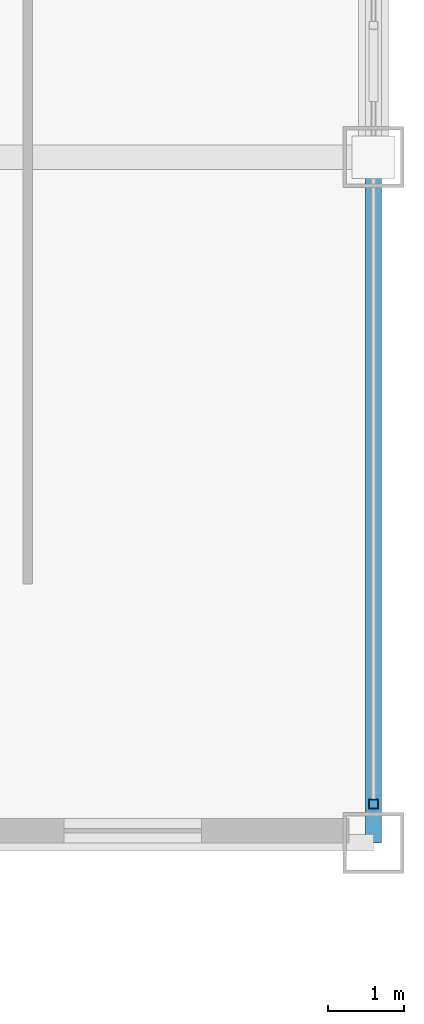
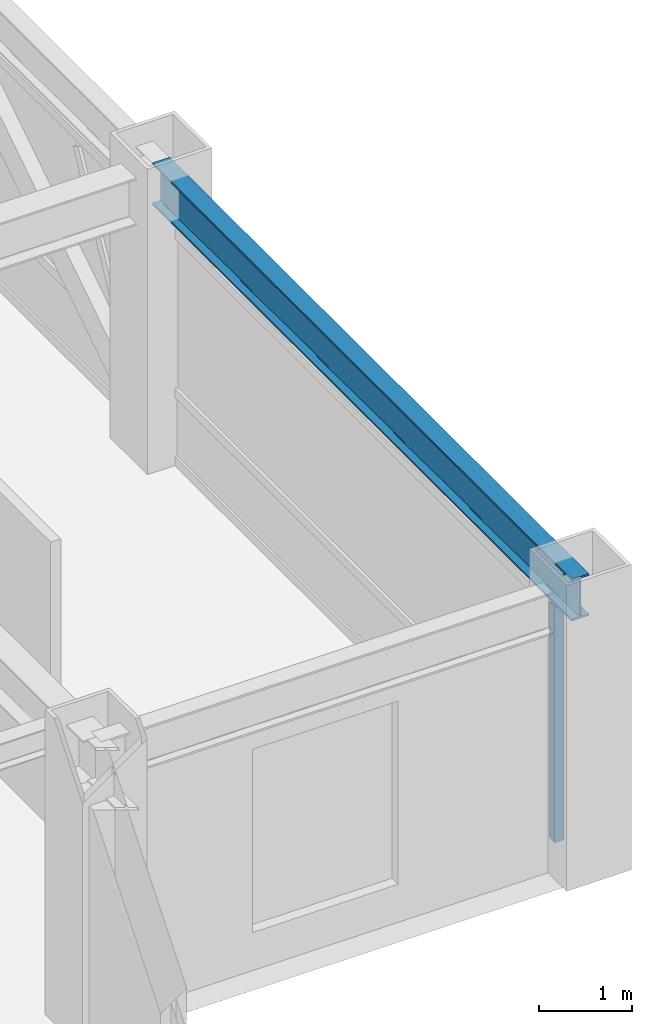
# One storey, part 10 of 28: 1 beam, 1 member, 1 element without a shape of its own.
"""IFC4 building model written with IfcOpenShell, lengths in metres."""

from ifc_helpers import new_model, si_unit, direction, frame, origin, origin_2d, place, context, subcontext, project, spatial, hollow_rectangle, i_section, extrude, source, transform, mapped, material, material_profile, profile_set, type_object, element, aggregate, save


model = new_model("IFC4")

# Units and contexts
model_context = context("Model", 3, precision=1e-05, world=origin(), true_north=direction((0.0, 1.0)))
body_context = subcontext(model_context, "Body", "Model", "MODEL_VIEW")
ifc_project = project(units=[si_unit("LENGTHUNIT", "METRE"), si_unit("AREAUNIT", "SQUARE_METRE"), si_unit("VOLUMEUNIT", "CUBIC_METRE"), si_unit("PLANEANGLEUNIT", "RADIAN"), si_unit("MASSUNIT", "GRAM", prefix="KILO")], contexts=[model_context])

# Site, building, storey
site_placement = place(None, origin())
site = spatial("IfcSite", under=ifc_project, at=site_placement, CompositionType="ELEMENT")
building_placement = place(site_placement, origin())
building = spatial("IfcBuilding", under=site, at=building_placement, Name="Khorayat Bourse Tower", CompositionType="ELEMENT")
storey_placement = place(building_placement, frame((0.0, 0.0, 330.300048828125)))
storey = spatial("IfcBuildingStorey", under=building, at=storey_placement, Name="L78", CompositionType="ELEMENT", Elevation=330.300048828125)

# Beam
ifc_material_1 = material(Name="Steel ASTM A992 Grade 50", Category="steel")
ifc_material_profile_1 = material_profile(ifc_material_1, i_section(OverallWidth=0.214111328125, OverallDepth=0.549072265625, WebThickness=0.0146484375, FlangeThickness=0.023681640625, FilletRadius=0.013916015625, at=origin_2d()), Name="W530X138")
ifc_profile_set_1 = profile_set([ifc_material_profile_1], Name="Steel ASTM A992 Grade 50")
beam_type = type_object("IfcBeamType", Name="BM-SPAN-530", PredefinedType="SPANDREL", material=ifc_profile_set_1)
shared_shape_1 = source(origin(), body_context, "Body", "SweptSolid", [
    extrude(i_section(OverallWidth=0.214111328125, OverallDepth=0.549072265625, WebThickness=0.0146484375, FlangeThickness=0.023681640625, FilletRadius=0.013916015625, at=origin_2d()), origin(), (0.0, 0.0, 1.0), 9.0),
])
beam_placement = place(storey_placement, frame((26.0, -20.0, 3.46533203125), z_axis=(0.0, 1.0, 0.0), x_axis=(-1.0, 0.0, 0.0)))
element("IfcBeam", 1, at=beam_placement, inside=storey, type_object=beam_type, Name="L78 BM-SPAN-530 BM-L78-SPN-032", PredefinedType="SPANDREL", context=body_context, shape_type="MappedRepresentation", body=[
    mapped(shared_shape_1, transform((0.0, 0.0, 0.0), scale=1.0)),
])

# Curtain wall, member
ifc_material_2 = material(Name="Aluminium EN AW-6063 T6", Category="aluminium")
curtain_wall_type = type_object("IfcCurtainWallType", Name="CW-SYS-04", PredefinedType="NOTDEFINED", material=ifc_material_2)
curtain_wall_placement = place(storey_placement, origin())
curtain_wall = element("IfcCurtainWall", 2, at=curtain_wall_placement, inside=storey, type_object=curtain_wall_type, Name="L78 Curtain Wall CW-L78-E1", PredefinedType="NOTDEFINED")
ifc_material_profile_2 = material_profile(ifc_material_2, hollow_rectangle(XDim=0.1201171875, YDim=0.1201171875, WallThickness=0.0048828125, at=origin_2d()), Name="ALU 120x120x5")
ifc_profile_set_2 = profile_set([ifc_material_profile_2], Name="Aluminium EN AW-6063 T6")
member_type = type_object("IfcMemberType", Name="CWM-VERT-120", PredefinedType="MULLION", material=ifc_profile_set_2)
shared_shape_2 = source(origin(), body_context, "Body", "SweptSolid", [
    extrude(hollow_rectangle(XDim=0.1201171875, YDim=0.1201171875, WallThickness=0.0048828125, at=origin_2d()), origin(), (0.0, 0.0, 1.0), 3.08984375),
])
member_placement = place(storey_placement, frame((26.0, -19.489990234375, 0.0), z_axis=(0.0, 0.0, 1.0), x_axis=(-1.0, 0.0, 0.0)))
member = element("IfcMember", 3, at=member_placement, type_object=member_type, Name="CW-L78-E1 Vertical Mullion 1", PredefinedType="MULLION", context=body_context, shape_type="MappedRepresentation", body=[
    mapped(shared_shape_2, transform((0.0, 0.0, 0.0), scale=1.0)),
])
aggregate(curtain_wall, [member])

save(model, "model.ifc")
